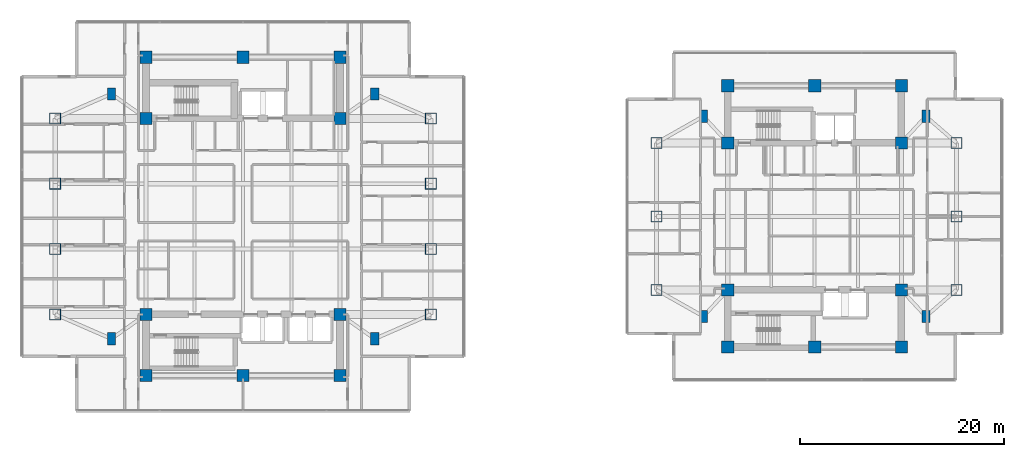
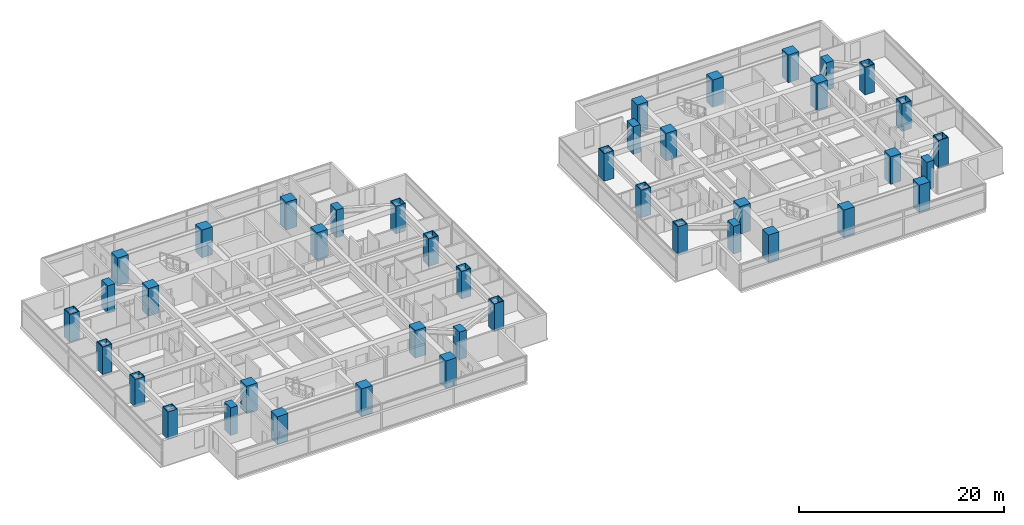
# One storey, part 1 of 25: 42 columns.
"""IFC4 building model written with IfcOpenShell, lengths in metres."""

import ifcopenshell
import ifcopenshell.guid

model = None  # the IFC model being written
_history = None  # IfcOwnerHistory: only IFC2X3 demands one
_inside = {}  # id of a spatial element -> (the spatial element, [elements in it])
_under = {}  # id of a project, library or spatial element -> (it, [spatial elements below it])
_declared = {}  # id of a project -> (the project, [libraries it declares])
_typed = {}  # id of a type object -> (the type object, [elements of that type])
_made_of = {}  # id of a material, layer set ... -> (it, [elements and type objects made of it])


def new_model(schema):
    """Start an empty IFC model of exactly this schema.

    Asked for "IFC4X3", IfcOpenShell would pick the latest addendum, in which some entities
    have other attributes; the version numbers below select the first issue.
    IFC2X3 requires an IfcOwnerHistory on every rooted entity: one is made here for all.
    """
    global model, _history
    if schema == "IFC4X3":
        model = ifcopenshell.file(schema_version=(4, 3, 0, 0))
    else:
        model = ifcopenshell.file(schema=schema)
    _inside.clear()
    _under.clear()
    _declared.clear()
    _typed.clear()
    _made_of.clear()
    _history = None
    if model.schema == "IFC2X3":
        org = make("IfcOrganization", Name="unknown")
        user = make(
            "IfcPersonAndOrganization",
            ThePerson=make("IfcPerson", FamilyName="unknown"),
            TheOrganization=org,
        )
        app = make(
            "IfcApplication",
            ApplicationDeveloper=org,
            Version="unknown",
            ApplicationFullName="unknown",
            ApplicationIdentifier="unknown",
        )
        _history = make(
            "IfcOwnerHistory",
            OwningUser=user,
            OwningApplication=app,
            ChangeAction="ADDED",
            CreationDate=0,
        )
    return model


def make(cls, **values):
    """One entity of the class cls with the attributes given. An attribute that is None is left unset."""
    return model.create_entity(
        cls, **{name: value for name, value in values.items() if value is not None}
    )


def rooted(cls, **values):
    """An entity with a GlobalId (a new one), such as an element, a storey or a relation."""
    return make(cls, GlobalId=ifcopenshell.guid.new(), OwnerHistory=_history, **values)


def si_unit(unit_type, name, prefix=None):
    """IfcSIUnit, for example si_unit("LENGTHUNIT", "METRE", prefix="MILLI")."""
    return make("IfcSIUnit", UnitType=unit_type, Prefix=prefix, Name=name)


def assignment(units):
    """IfcUnitAssignment: the units of a project."""
    return None if units is None else make("IfcUnitAssignment", Units=units)


def point(xyz):
    """IfcCartesianPoint."""
    return None if xyz is None else make("IfcCartesianPoint", Coordinates=xyz)


def direction(xyz):
    """IfcDirection."""
    return None if xyz is None else make("IfcDirection", DirectionRatios=xyz)


def frame(location, z_axis=None, x_axis=None):
    """IfcAxis2Placement3D, a coordinate frame: its origin and axes. An axis left out is left unset."""
    return make(
        "IfcAxis2Placement3D",
        Location=point(location),
        Axis=direction(z_axis),
        RefDirection=direction(x_axis),
    )


def frame_2d(location, x_axis=None):
    """IfcAxis2Placement2D, a coordinate frame in the plane: its origin and x axis."""
    return make(
        "IfcAxis2Placement2D", Location=point(location), RefDirection=direction(x_axis)
    )


def origin():
    """The frame at (0, 0, 0) with its axes left unset."""
    return frame((0.0, 0.0, 0.0))


def origin_2d():
    """The frame at (0, 0) in the plane with its x axis left unset."""
    return frame_2d((0.0, 0.0))


def place(relative_to, where):
    """IfcLocalPlacement: puts the frame where relative to a parent placement (None: the world)."""
    return make(
        "IfcLocalPlacement", PlacementRelTo=relative_to, RelativePlacement=where
    )


def context(
    kind, dimensions, precision=None, world=None, true_north=None, identifier=None
):
    """IfcGeometricRepresentationContext, for example the 3D "Model" context."""
    return make(
        "IfcGeometricRepresentationContext",
        ContextIdentifier=identifier,
        ContextType=kind,
        CoordinateSpaceDimension=dimensions,
        Precision=precision,
        WorldCoordinateSystem=world,
        TrueNorth=true_north,
    )


def subcontext(parent, identifier, kind, view, scale=None):
    """IfcGeometricRepresentationSubContext, for example "Body" below "Model"."""
    return make(
        "IfcGeometricRepresentationSubContext",
        ContextIdentifier=identifier,
        ContextType=kind,
        ParentContext=parent,
        TargetScale=scale,
        TargetView=view,
    )


def project(units=None, contexts=None):
    """IfcProject with its units and contexts."""
    return rooted(
        "IfcProject",
        Name="project",
        RepresentationContexts=contexts,
        UnitsInContext=assignment(units),
    )


def spatial(cls, under=None, at=None, **own):
    """A site, building, storey or space (cls), placed at a placement, below another one or the project."""
    s = rooted(cls, ObjectPlacement=at, **own)
    if under is not None:
        _under.setdefault(under.id(), (under, []))[1].append(s)
    return s


def profile(cls, at=None, kind="AREA", **sizes):
    """A parametric profile (cls). Its sizes go by their IFC names, for example OverallWidth=200.0."""
    return make(cls, ProfileType=kind, Position=at, **sizes)


def rectangle(**sizes):
    """IfcRectangleProfileDef."""
    return profile("IfcRectangleProfileDef", **sizes)


def hollow_rectangle(**sizes):
    """IfcRectangleHollowProfileDef."""
    return profile("IfcRectangleHollowProfileDef", **sizes)


def extrude(swept, where, along, depth):
    """IfcExtrudedAreaSolid: the profile swept, set in the frame where, extruded along a direction by depth."""
    return make(
        "IfcExtrudedAreaSolid",
        SweptArea=swept,
        Position=where,
        ExtrudedDirection=direction(along),
        Depth=depth,
    )


def shape(context_of_items, identifier, shape_type, items):
    """IfcShapeRepresentation: the items that make up one representation, for example the "Body"."""
    return make(
        "IfcShapeRepresentation",
        ContextOfItems=context_of_items,
        RepresentationIdentifier=identifier,
        RepresentationType=shape_type,
        Items=items,
    )


def material(Name=None, Category=None):
    """IfcMaterial."""
    return make("IfcMaterial", Name=Name, Category=Category)


def material_profile(
    of_material, cross_section, Name=None, Category=None, Priority=None
):
    """IfcMaterialProfile: a cross section and its material."""
    return make(
        "IfcMaterialProfile",
        Name=Name,
        Material=of_material,
        Profile=cross_section,
        Priority=Priority,
        Category=Category,
    )


def profile_set(profiles, Name=None, composite=None):
    """IfcMaterialProfileSet."""
    return make(
        "IfcMaterialProfileSet",
        Name=Name,
        MaterialProfiles=profiles,
        CompositeProfile=composite,
    )


def made_of(thing, what):
    """Note that an element or type object is made of a material, layer set ...; save() writes the relation."""
    if what is not None:
        _made_of.setdefault(what.id(), (what, []))[1].append(thing)
    return thing


def type_object(cls, material=None, **own):
    """A type object (cls), such as IfcWallType, which elements share."""
    return made_of(rooted(cls, **own), material)


def element(
    cls,
    number,
    at=None,
    inside=None,
    cuts=None,
    type_object=None,
    material=None,
    context=None,
    identifier="Body",
    shape_type=None,
    held_by="IfcProductDefinitionShape",
    body=None,
    shapes=None,
    **own,
):
    """One element of the class cls, such as IfcWall. Its Tag is "e" and its number.

    at: its placement. inside: the storey or other place that contains it. cuts: it is an
    opening in that element (IfcRelVoidsElement). A single representation is given by context,
    identifier, shape_type and body (its items); several are given by shapes. held_by: the class
    of the entity that holds the representations. save() writes the other relations.
    """
    e = rooted(cls, Tag="e%d" % number, ObjectPlacement=at, **own)
    if body is not None:
        shapes = [shape(context, identifier, shape_type, body)]
    if shapes is not None:
        e.Representation = make(held_by, Representations=shapes)
    if inside is not None:
        _inside.setdefault(inside.id(), (inside, []))[1].append(e)
    if cuts is not None:
        rooted(
            "IfcRelVoidsElement", RelatingBuildingElement=cuts, RelatedOpeningElement=e
        )
    if type_object is not None:
        _typed.setdefault(type_object.id(), (type_object, []))[1].append(e)
    return made_of(e, material)


def aggregate(whole, parts):
    """IfcRelAggregates: a whole, such as a stair, and the parts it consists of."""
    return rooted("IfcRelAggregates", RelatingObject=whole, RelatedObjects=parts)


def save(model, path):
    """Write the relations noted so far, then the file.

    IfcRelAggregates (storeys below a building ...), IfcRelContainedInSpatialStructure (elements
    in a storey), IfcRelDefinesByType, IfcRelAssociatesMaterial and IfcRelDeclares: one each for
    every whole, place, type object, material and project.
    """
    for whole, parts in _under.values():
        aggregate(whole, parts)
    for where, things in _inside.values():
        rooted(
            "IfcRelContainedInSpatialStructure",
            RelatedElements=things,
            RelatingStructure=where,
        )
    for kind, things in _typed.values():
        rooted("IfcRelDefinesByType", RelatedObjects=things, RelatingType=kind)
    for what, things in _made_of.values():
        rooted("IfcRelAssociatesMaterial", RelatedObjects=things, RelatingMaterial=what)
    for by, libraries in _declared.values():
        rooted("IfcRelDeclares", RelatingContext=by, RelatedDefinitions=libraries)
    model.write(path)


model = new_model("IFC4")

# Units and contexts
model_context = context("Model", 3, precision=1e-05, world=origin(), true_north=direction((0.0, 1.0)))
body_context = subcontext(model_context, "Body", "Model", "MODEL_VIEW")
ifc_project = project(units=[si_unit("LENGTHUNIT", "METRE"), si_unit("AREAUNIT", "SQUARE_METRE"), si_unit("VOLUMEUNIT", "CUBIC_METRE"), si_unit("PLANEANGLEUNIT", "RADIAN"), si_unit("MASSUNIT", "GRAM", prefix="KILO")], contexts=[model_context])

# Site, building, storey
site_placement = place(None, origin())
site = spatial("IfcSite", under=ifc_project, at=site_placement, CompositionType="ELEMENT")
building_placement = place(site_placement, origin())
building = spatial("IfcBuilding", under=site, at=building_placement, Name="Mirazonda Arch Towers", CompositionType="ELEMENT")
storey_placement = place(building_placement, frame((0.0, 0.0, 104.89990234375)))
storey = spatial("IfcBuildingStorey", under=building, at=storey_placement, Name="L29", CompositionType="ELEMENT", Elevation=104.89990234375)

# Columns
ifc_material_1 = material(Name="Concrete C50/60", Category="concrete")
ifc_material_profile_1 = material_profile(ifc_material_1, rectangle(XDim=1.199951171875, YDim=1.199951171875, at=origin_2d()), Name="RC1200x1200")
ifc_profile_set_1 = profile_set([ifc_material_profile_1], Name="Concrete C50/60")
column_type_1 = type_object("IfcColumnType", Name="COL-INT-RC1200x1200", PredefinedType="COLUMN", material=ifc_profile_set_1)
for number, where, z_axis, x_axis, name in (
    (1, (11.0, 12.39990234375, 0.0), (0.0, 0.0, 1.0), (1.0, 0.0, 0.0), "L29 T1 Core Column 01"),
    (2, (20.5, 12.39990234375, 0.0), (0.0, 0.0, 1.0), (1.0, 0.0, 0.0), "L29 T1 Core Column 02"),
    (3, (30.0, 12.39990234375, 0.0), (0.0, 0.0, 1.0), (1.0, 0.0, 0.0), "L29 T1 Core Column 03"),
    (4, (11.0, 18.39990234375, 0.0), (0.0, 0.0, 1.0), (1.0, 0.0, 0.0), "L29 T1 Core Column 04"),
    (5, (30.0, 18.39990234375, 0.0), (0.0, 0.0, 1.0), (1.0, 0.0, 0.0), "L29 T1 Core Column 05"),
    (6, (11.0, 37.60009765625, 0.0), (0.0, 0.0, 1.0), (1.0, 0.0, 0.0), "L29 T1 Core Column 06"),
    (7, (30.0, 37.60009765625, 0.0), (0.0, 0.0, 1.0), (1.0, 0.0, 0.0), "L29 T1 Core Column 07"),
    (8, (11.0, 43.60009765625, 0.0), (0.0, 0.0, 1.0), (1.0, 0.0, 0.0), "L29 T1 Core Column 08"),
    (9, (20.5, 43.60009765625, 0.0), (0.0, 0.0, 1.0), (1.0, 0.0, 0.0), "L29 T1 Core Column 09"),
    (10, (30.0, 43.60009765625, 0.0), (0.0, 0.0, 1.0), (1.0, 0.0, 0.0), "L29 T1 Core Column 10"),
    (11, (68.0, 15.199951171875, 0.0), (0.0, 0.0, 1.0), (1.0, 0.0, 0.0), "L29 T2 Core Column 01"),
    (12, (76.5, 15.199951171875, 0.0), (0.0, 0.0, 1.0), (1.0, 0.0, 0.0), "L29 T2 Core Column 02"),
    (13, (85.0, 15.199951171875, 0.0), (0.0, 0.0, 1.0), (1.0, 0.0, 0.0), "L29 T2 Core Column 03"),
    (14, (68.0, 20.800048828125, 0.0), (0.0, 0.0, 1.0), (1.0, 0.0, 0.0), "L29 T2 Core Column 04"),
    (15, (85.0, 20.800048828125, 0.0), (0.0, 0.0, 1.0), (1.0, 0.0, 0.0), "L29 T2 Core Column 05"),
    (16, (68.0, 35.199951171875, 0.0), (0.0, 0.0, 1.0), (1.0, 0.0, 0.0), "L29 T2 Core Column 06"),
    (17, (85.0, 35.199951171875, 0.0), (0.0, 0.0, 1.0), (1.0, 0.0, 0.0), "L29 T2 Core Column 07"),
    (18, (68.0, 40.800048828125, 0.0), (0.0, 0.0, 1.0), (1.0, 0.0, 0.0), "L29 T2 Core Column 08"),
    (19, (76.5, 40.800048828125, 0.0), (0.0, 0.0, 1.0), (1.0, 0.0, 0.0), "L29 T2 Core Column 09"),
    (20, (85.0, 40.800048828125, 0.0), (0.0, 0.0, 1.0), (1.0, 0.0, 0.0), "L29 T2 Core Column 10"),
):
    element("IfcColumn", number, at=place(storey_placement, frame(where, z_axis=z_axis, x_axis=x_axis)), inside=storey, type_object=column_type_1, Name=name, PredefinedType="COLUMN", context=body_context, shape_type="SweptSolid", body=[
        extrude(rectangle(XDim=1.199951171875, YDim=1.199951171875, at=origin_2d()), origin(), (0.0, 0.0, 1.0), 3.300048828125),
    ])
ifc_material_2 = material(Name="Steel ASTM A572 Grade 50", Category="steel")
ifc_material_profile_2 = material_profile(ifc_material_2, hollow_rectangle(XDim=1.10009765625, YDim=1.10009765625, WallThickness=0.06005859375, at=origin_2d()), Name="BOX1100x1100x60")
ifc_profile_set_2 = profile_set([ifc_material_profile_2], Name="Steel ASTM A572 Grade 50")
column_type_2 = type_object("IfcColumnType", Name="MCOL-EXT-BOX1100x1100x60", PredefinedType="COLUMN", material=ifc_profile_set_2)
for number, where, z_axis, x_axis, name in (
    (21, (2.10009765625, 18.39990234375, 0.0), (0.0, 0.0, 1.0), (1.0, 0.0, 0.0), "L29 T1 Composite Mega-Column 01"),
    (22, (2.10009765625, 24.800048828125, 0.0), (0.0, 0.0, 1.0), (1.0, 0.0, 0.0), "L29 T1 Composite Mega-Column 02"),
    (23, (2.10009765625, 31.199951171875, 0.0), (0.0, 0.0, 1.0), (1.0, 0.0, 0.0), "L29 T1 Composite Mega-Column 03"),
    (24, (2.10009765625, 37.60009765625, 0.0), (0.0, 0.0, 1.0), (1.0, 0.0, 0.0), "L29 T1 Composite Mega-Column 04"),
    (25, (38.89990234375, 18.39990234375, 0.0), (0.0, 0.0, 1.0), (1.0, 0.0, 0.0), "L29 T1 Composite Mega-Column 05"),
    (26, (38.89990234375, 24.800048828125, 0.0), (0.0, 0.0, 1.0), (1.0, 0.0, 0.0), "L29 T1 Composite Mega-Column 06"),
    (27, (38.89990234375, 31.199951171875, 0.0), (0.0, 0.0, 1.0), (1.0, 0.0, 0.0), "L29 T1 Composite Mega-Column 07"),
    (28, (38.89990234375, 37.60009765625, 0.0), (0.0, 0.0, 1.0), (1.0, 0.0, 0.0), "L29 T1 Composite Mega-Column 08"),
    (29, (61.0, 20.800048828125, 0.0), (0.0, 0.0, 1.0), (1.0, 0.0, 0.0), "L29 T2 Composite Mega-Column 01"),
    (30, (61.0, 28.0, 0.0), (0.0, 0.0, 1.0), (1.0, 0.0, 0.0), "L29 T2 Composite Mega-Column 02"),
    (31, (61.0, 35.199951171875, 0.0), (0.0, 0.0, 1.0), (1.0, 0.0, 0.0), "L29 T2 Composite Mega-Column 03"),
    (32, (90.39990234375, 20.800048828125, 0.0), (0.0, 0.0, 1.0), (1.0, 0.0, 0.0), "L29 T2 Composite Mega-Column 04"),
    (33, (90.39990234375, 28.0, 0.0), (0.0, 0.0, 1.0), (1.0, 0.0, 0.0), "L29 T2 Composite Mega-Column 05"),
    (34, (90.39990234375, 35.199951171875, 0.0), (0.0, 0.0, 1.0), (1.0, 0.0, 0.0), "L29 T2 Composite Mega-Column 06"),
):
    element("IfcColumn", number, at=place(storey_placement, frame(where, z_axis=z_axis, x_axis=x_axis)), inside=storey, type_object=column_type_2, Name=name, PredefinedType="COLUMN", context=body_context, shape_type="SweptSolid", body=[
        extrude(hollow_rectangle(XDim=1.10009765625, YDim=1.10009765625, WallThickness=0.06005859375, at=origin_2d()), origin(), (0.0, 0.0, 1.0), 3.300048828125),
    ])
ifc_material_3 = material(Name="Concrete C60/75", Category="concrete")
ifc_material_profile_3 = material_profile(ifc_material_3, rectangle(XDim=0.800048828125, YDim=1.199951171875, at=origin_2d()), Name="RC1200x800")
ifc_profile_set_3 = profile_set([ifc_material_profile_3], Name="Concrete C60/75")
column_type_3 = type_object("IfcColumnType", Name="PIL-EXT-RC1200x800", PredefinedType="PILASTER", material=ifc_profile_set_3)
for number, where, z_axis, x_axis, name in (
    (35, (7.60009765625, 16.0, 0.0), (0.0, 0.0, 1.0), (1.0, 0.0, 0.0), "L29 T1 Corner Pilaster 01"),
    (36, (33.39990234375, 16.0, 0.0), (0.0, 0.0, 1.0), (1.0, 0.0, 0.0), "L29 T1 Corner Pilaster 02"),
    (37, (7.60009765625, 40.0, 0.0), (0.0, 0.0, 1.0), (1.0, 0.0, 0.0), "L29 T1 Corner Pilaster 03"),
    (38, (33.39990234375, 40.0, 0.0), (0.0, 0.0, 1.0), (1.0, 0.0, 0.0), "L29 T1 Corner Pilaster 04"),
    (39, (65.60009765625, 18.199951171875, 0.0), (0.0, 0.0, 1.0), (1.0, 0.0, 0.0), "L29 T2 Corner Pilaster 01"),
    (40, (87.39990234375, 18.199951171875, 0.0), (0.0, 0.0, 1.0), (1.0, 0.0, 0.0), "L29 T2 Corner Pilaster 02"),
    (41, (65.60009765625, 37.800048828125, 0.0), (0.0, 0.0, 1.0), (1.0, 0.0, 0.0), "L29 T2 Corner Pilaster 03"),
    (42, (87.39990234375, 37.800048828125, 0.0), (0.0, 0.0, 1.0), (1.0, 0.0, 0.0), "L29 T2 Corner Pilaster 04"),
):
    element("IfcColumn", number, at=place(storey_placement, frame(where, z_axis=z_axis, x_axis=x_axis)), inside=storey, type_object=column_type_3, Name=name, PredefinedType="PILASTER", context=body_context, shape_type="SweptSolid", body=[
        extrude(rectangle(XDim=0.800048828125, YDim=1.199951171875, at=origin_2d()), origin(), (0.0, 0.0, 1.0), 3.300048828125),
    ])

save(model, "model.ifc")
